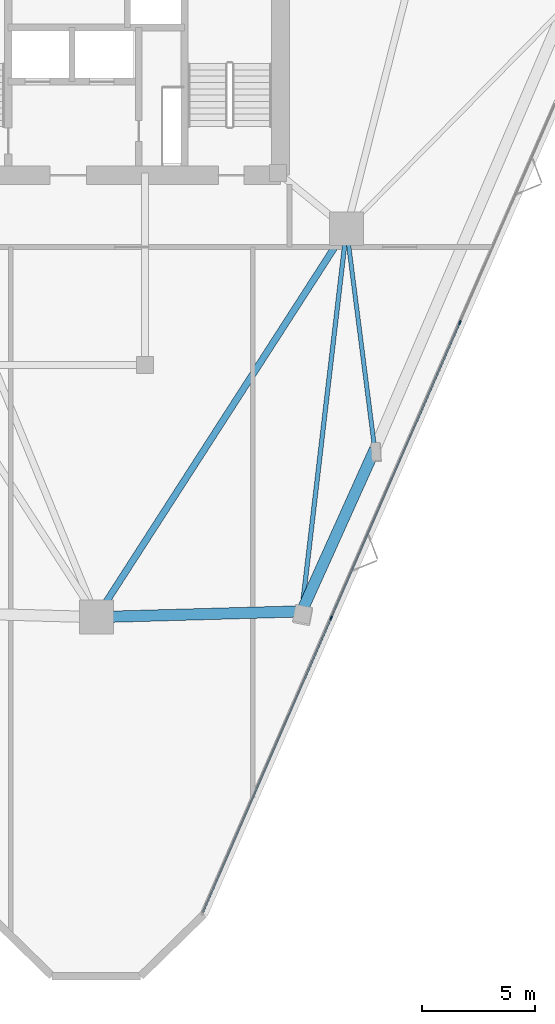
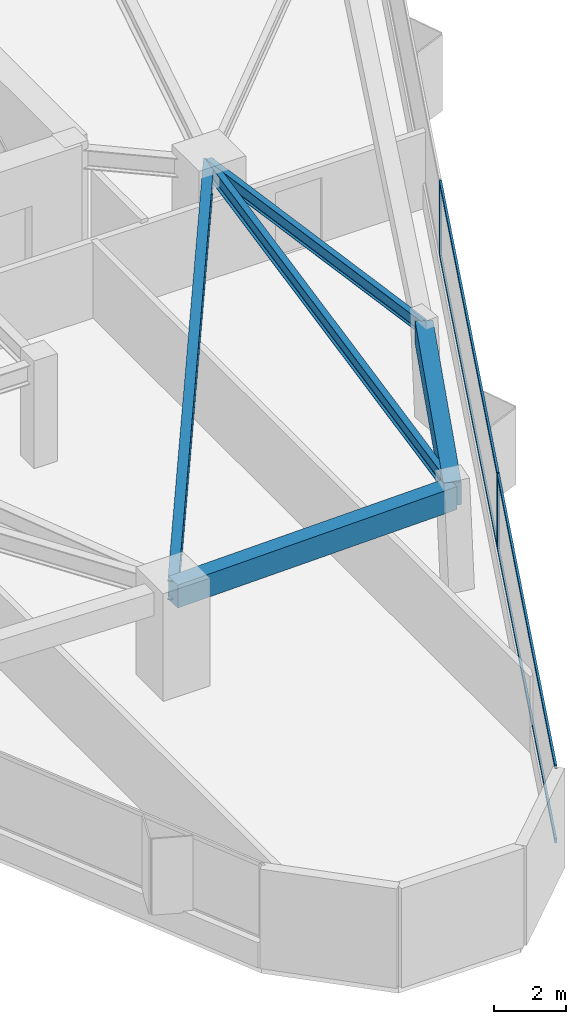
# One storey, part 3 of 11: 6 members, 5 beams, 1 element without a shape of its own.
"""IFC4 building model written with IfcOpenShell, lengths in metres."""

from ifc_helpers import new_model, si_unit, direction, frame, origin, origin_2d, place, context, subcontext, project, spatial, rectangle, i_section, extrude, material, layer, layer_set, material_profile, profile_set, type_object, element, aggregate, save


model = new_model("IFC4")

# Units and contexts
model_context = context("Model", 3, precision=1e-05, world=origin(), true_north=direction((0.0, 1.0)))
body_context = subcontext(model_context, "Body", "Model", "MODEL_VIEW")
ifc_project = project(units=[si_unit("LENGTHUNIT", "METRE"), si_unit("AREAUNIT", "SQUARE_METRE"), si_unit("VOLUMEUNIT", "CUBIC_METRE"), si_unit("PLANEANGLEUNIT", "RADIAN"), si_unit("MASSUNIT", "GRAM", prefix="KILO")], contexts=[model_context])

# Site, building, storey
site_placement = place(None, origin())
site = spatial("IfcSite", under=ifc_project, at=site_placement, CompositionType="ELEMENT")
building_placement = place(site_placement, origin())
building = spatial("IfcBuilding", under=site, at=building_placement, Name="Talyreon Biosciences Tower", CompositionType="ELEMENT")
storey_placement = place(building_placement, frame((0.0, 0.0, 163.699951171875)))
storey = spatial("IfcBuildingStorey", under=building, at=storey_placement, Name="L43", CompositionType="ELEMENT", Elevation=163.699951171875)

# Curtain wall, members
ifc_material_1 = material(Name="Thermally broken aluminium and low-E glazing", Category="aluminium")
ifc_layer = layer(ifc_material_1, 0.18505859375)
ifc_layer_set = layer_set([ifc_layer], Name="Thermally broken aluminium and low-E glazing")
curtain_wall_type = type_object("IfcCurtainWallType", Name="CurtainWall_Zone3Bioprocess", PredefinedType="NOTDEFINED", material=ifc_layer_set)
curtain_wall_placement = place(storey_placement, origin())
curtain_wall = element("IfcCurtainWall", 1, at=curtain_wall_placement, inside=storey, type_object=curtain_wall_type, Name="L43 Unitised Curtain Wall FCW-L43-08", PredefinedType="NOTDEFINED")
ifc_material_2 = material(Name="Anodised thermally broken aluminium", Category="aluminium")
ifc_material_profile_1 = material_profile(ifc_material_2, rectangle(XDim=0.06494140625, YDim=0.179931640625, at=origin_2d()), Name="ALUM MULLION 65x180")
ifc_profile_set_1 = profile_set([ifc_material_profile_1], Name="Anodised thermally broken aluminium")
member_type_1 = type_object("IfcMemberType", Name="CWMullion_65x180", PredefinedType="MULLION", material=ifc_profile_set_1)
member_1_placement = place(storey_placement, frame((82.107177734375, 54.717041015625, 0.81005859375), z_axis=(0.0, 0.0, 1.0), x_axis=(0.916731187474, -0.399504605621, 0.0)))
member_1 = element("IfcMember", 2, at=member_1_placement, type_object=member_type_1, Name="CW4 mullion 3", PredefinedType="MULLION", context=body_context, shape_type="SweptSolid", body=[
    extrude(rectangle(XDim=0.06494140625, YDim=0.179931640625, at=origin_2d()), origin(), (0.0, 0.0, 1.0), 2.56494140625),
])
member_2_placement = place(storey_placement, frame((76.400390625, 41.6220703125, 0.81005859375), z_axis=(0.0, 0.0, 1.0), x_axis=(0.916731187474, -0.399504605621, 0.0)))
member_2 = element("IfcMember", 3, at=member_2_placement, type_object=member_type_1, Name="CW4 mullion 4", PredefinedType="MULLION", context=body_context, shape_type="SweptSolid", body=[
    extrude(rectangle(XDim=0.06494140625, YDim=0.179931640625, at=origin_2d()), origin(), (0.0, 0.0, 1.0), 2.56494140625),
])
ifc_material_profile_2 = material_profile(ifc_material_2, rectangle(XDim=0.06494140625, YDim=0.139892578125, at=origin_2d()), Name="ALUM TRANSOM 65x140")
ifc_profile_set_2 = profile_set([ifc_material_profile_2], Name="Anodised thermally broken aluminium")
member_type_2 = type_object("IfcMemberType", Name="CWTransom_65x140", PredefinedType="USERDEFINED", material=ifc_profile_set_2)
member_3_placement = place(storey_placement, frame((82.09423828125, 54.687255859375, 0.842529296875), z_axis=(-0.39951512908, -0.916726601357, 0.0), x_axis=(0.916726601357, -0.39951512908, 0.0)))
member_3 = element("IfcMember", 4, at=member_3_placement, type_object=member_type_2, Name="CW4 transom 3.1", ObjectType="TRANSOM", PredefinedType="USERDEFINED", context=body_context, shape_type="SweptSolid", body=[
    extrude(rectangle(XDim=0.06494140625, YDim=0.139892578125, at=origin_2d()), origin(), (0.0, 0.0, 1.0), 14.219482421875),
])
member_4_placement = place(storey_placement, frame((82.09423828125, 54.687255859375, 3.342529296875), z_axis=(-0.39951512908, -0.916726601357, 0.0), x_axis=(0.916726601357, -0.39951512908, 0.0)))
member_4 = element("IfcMember", 5, at=member_4_placement, type_object=member_type_2, Name="CW4 transom 3.2", ObjectType="TRANSOM", PredefinedType="USERDEFINED", context=body_context, shape_type="SweptSolid", body=[
    extrude(rectangle(XDim=0.06494140625, YDim=0.139892578125, at=origin_2d()), origin(), (0.0, 0.0, 1.0), 14.219482421875),
])
member_5_placement = place(storey_placement, frame((76.387451171875, 41.592041015625, 0.842529296875), z_axis=(-0.399503101725, -0.916731842859, 0.0), x_axis=(0.916731842859, -0.399503101725, 0.0)))
member_5 = element("IfcMember", 6, at=member_5_placement, type_object=member_type_2, Name="CW4 transom 4.1", ObjectType="TRANSOM", PredefinedType="USERDEFINED", context=body_context, shape_type="SweptSolid", body=[
    extrude(rectangle(XDim=0.06494140625, YDim=0.139892578125, at=origin_2d()), origin(), (0.0, 0.0, 1.0), 14.18701171875),
])
member_6_placement = place(storey_placement, frame((76.387451171875, 41.592041015625, 3.342529296875), z_axis=(-0.399503101725, -0.916731842859, 0.0), x_axis=(0.916731842859, -0.399503101725, 0.0)))
member_6 = element("IfcMember", 7, at=member_6_placement, type_object=member_type_2, Name="CW4 transom 4.2", ObjectType="TRANSOM", PredefinedType="USERDEFINED", context=body_context, shape_type="SweptSolid", body=[
    extrude(rectangle(XDim=0.06494140625, YDim=0.139892578125, at=origin_2d()), origin(), (0.0, 0.0, 1.0), 14.18701171875),
])
aggregate(curtain_wall, [member_1, member_2, member_3, member_4, member_5, member_6])

# Beams
ifc_material_3 = material(Name="Precast concrete C45/55", Category="concrete")
ifc_material_profile_3 = material_profile(ifc_material_3, rectangle(XDim=0.5, YDim=0.780029296875, at=origin_2d()), Name="RCB 500x780")
ifc_profile_set_3 = profile_set([ifc_material_profile_3], Name="Precast concrete C45/55")
beam_type_1 = type_object("IfcBeamType", Name="ExpressedSpandrel_500x780", PredefinedType="SPANDREL", material=ifc_profile_set_3)
beam_1_placement = place(storey_placement, frame((66.0, 41.6669921875, 2.985107421875), z_axis=(0.999604307387, 0.02812878691, 0.0), x_axis=(-0.02812878691, 0.999604307387, 0.0)))
element("IfcBeam", 8, at=beam_1_placement, inside=storey, type_object=beam_type_1, Name="L43 Expressed Horizontal Concrete Spandrel 01", PredefinedType="SPANDREL", context=body_context, shape_type="SweptSolid", body=[
    extrude(rectangle(XDim=0.5, YDim=0.780029296875, at=origin_2d()), origin(), (0.0, 0.0, 1.0), 9.104736328125),
])
beam_2_placement = place(storey_placement, frame((75.10107421875, 41.923095703125, 2.985107421875), z_axis=(0.410970779249, 0.91164851703, 0.0), x_axis=(-0.91164851703, 0.410970779249, 0.0)))
element("IfcBeam", 9, at=beam_2_placement, inside=storey, type_object=beam_type_1, Name="L43 Expressed Horizontal Concrete Spandrel 02", PredefinedType="SPANDREL", context=body_context, shape_type="SweptSolid", body=[
    extrude(rectangle(XDim=0.5, YDim=0.780029296875, at=origin_2d()), origin(), (0.0, 0.0, 1.0), 7.87060546875),
])
ifc_material_4 = material(Name="Steel SM355", Category="steel")
ifc_material_profile_4 = material_profile(ifc_material_4, i_section(OverallWidth=0.300048828125, OverallDepth=0.64990234375, WebThickness=0.01611328125, FlangeThickness=0.031005859375, FilletRadius=0.027099609375, at=origin_2d()), Name="HE650B")
ifc_profile_set_4 = profile_set([ifc_material_profile_4], Name="Steel SM355")
beam_type_2 = type_object("IfcBeamType", Name="SteelBeam_HE650B", PredefinedType="BEAM", material=ifc_profile_set_4)
beam_3_placement = place(storey_placement, frame((66.0, 41.6669921875, 3.050048828125), z_axis=(0.541463723609, 0.840724114092, 0.0), x_axis=(-0.840724114092, 0.541463723609, 0.0)))
element("IfcBeam", 10, at=beam_3_placement, inside=storey, type_object=beam_type_2, Name="L43 Mega-Ring Girder 1", PredefinedType="BEAM", context=body_context, shape_type="SweptSolid", body=[
    extrude(i_section(OverallWidth=0.300048828125, OverallDepth=0.64990234375, WebThickness=0.01611328125, FlangeThickness=0.031005859375, FilletRadius=0.027099609375, at=origin_2d()), origin(), (0.0, 0.0, 1.0), 20.474365234375),
])
ifc_material_profile_5 = material_profile(ifc_material_4, i_section(OverallWidth=0.18994140625, OverallDepth=0.449951171875, WebThickness=0.009521484375, FlangeThickness=0.0146484375, FilletRadius=0.02099609375, at=origin_2d()), Name="IPE450")
ifc_profile_set_5 = profile_set([ifc_material_profile_5], Name="Steel SM355")
beam_type_3 = type_object("IfcBeamType", Name="SteelJoist_IPE450", PredefinedType="JOIST", material=ifc_profile_set_5)
beam_4_placement = place(storey_placement, frame((77.086181640625, 58.88037109375, 3.150146484375), z_axis=(0.126706521426, -0.99194024892, 0.0), x_axis=(0.99194024892, 0.126706521426, 0.0)))
element("IfcBeam", 11, at=beam_4_placement, inside=storey, type_object=beam_type_3, Name="L43 Radial Composite Floor Joist PL-SE", PredefinedType="JOIST", context=body_context, shape_type="SweptSolid", body=[
    extrude(i_section(OverallWidth=0.18994140625, OverallDepth=0.449951171875, WebThickness=0.009521484375, FlangeThickness=0.0146484375, FilletRadius=0.02099609375, at=origin_2d()), origin(), (0.0, 0.0, 1.0), 9.861572265625),
])
ifc_material_profile_6 = material_profile(ifc_material_4, i_section(OverallWidth=0.199951171875, OverallDepth=0.5, WebThickness=0.01025390625, FlangeThickness=0.01611328125, FilletRadius=0.02099609375, at=origin_2d()), Name="IPE500")
ifc_profile_set_6 = profile_set([ifc_material_profile_6], Name="Steel SM355")
beam_type_4 = type_object("IfcBeamType", Name="SteelJoist_IPE500", PredefinedType="JOIST", material=ifc_profile_set_6)
beam_5_placement = place(storey_placement, frame((77.086181640625, 58.88037109375, 3.125), z_axis=(-0.11627123945, -0.993217498274, 0.0), x_axis=(0.993217498274, -0.11627123945, 0.0)))
element("IfcBeam", 12, at=beam_5_placement, inside=storey, type_object=beam_type_4, Name="L43 Radial Composite Floor Joist PC-SE1", PredefinedType="JOIST", context=body_context, shape_type="SweptSolid", body=[
    extrude(i_section(OverallWidth=0.199951171875, OverallDepth=0.5, WebThickness=0.01025390625, FlangeThickness=0.01611328125, FilletRadius=0.02099609375, at=origin_2d()), origin(), (0.0, 0.0, 1.0), 17.072998046875),
])

save(model, "model.ifc")
